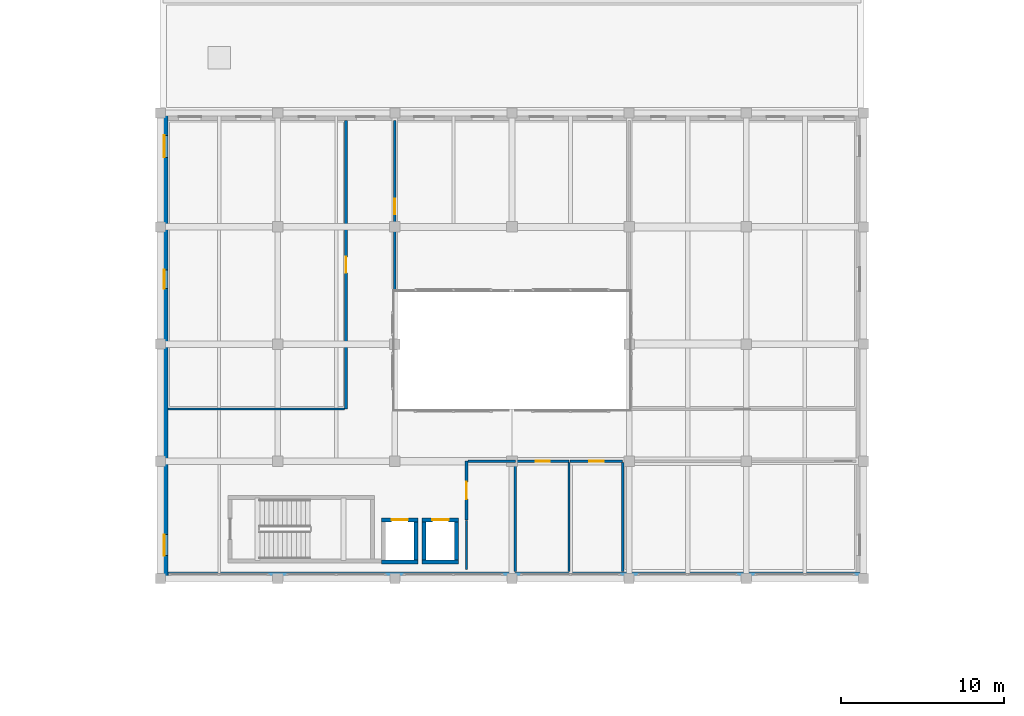
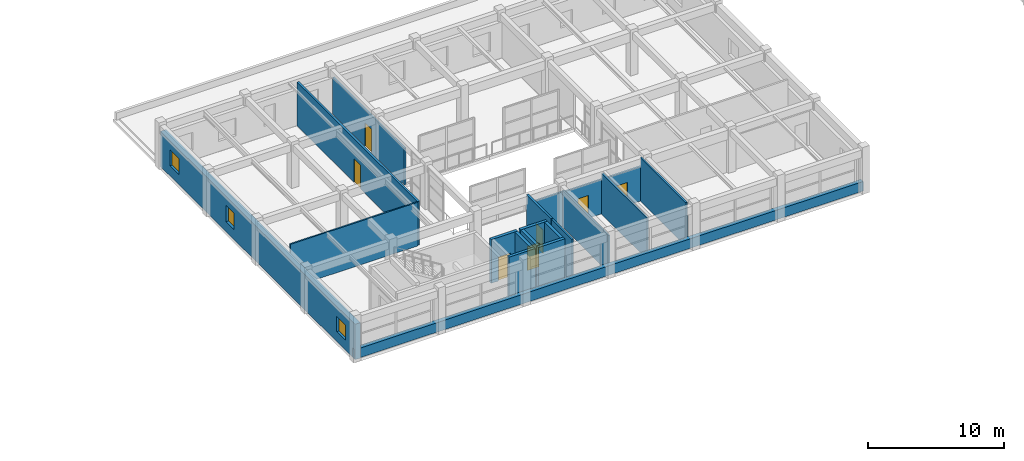
# One storey, part 50 of 67: 20 walls, 7 doors, 3 windows, 10 openings.
"""IFC4 building model written with IfcOpenShell, lengths in metres."""

from ifc_helpers import new_model, si_unit, direction, frame, frame_2d, origin, place, context, subcontext, project, spatial, rectangle, extrude, material, layer, layer_set, type_object, element, fill, save


model = new_model("IFC4")

# Units and contexts
model_context = context("Model", 3, precision=1e-05, world=origin(), true_north=direction((0.0, 1.0)))
body_context = subcontext(model_context, "Body", "Model", "MODEL_VIEW")
ifc_project = project(units=[si_unit("LENGTHUNIT", "METRE"), si_unit("AREAUNIT", "SQUARE_METRE"), si_unit("VOLUMEUNIT", "CUBIC_METRE"), si_unit("PLANEANGLEUNIT", "RADIAN"), si_unit("MASSUNIT", "GRAM", prefix="KILO")], contexts=[model_context])

# Site, building, storey
site_placement = place(None, origin())
site = spatial("IfcSite", under=ifc_project, at=site_placement, CompositionType="ELEMENT")
building_placement = place(site_placement, origin())
building = spatial("IfcBuilding", under=site, at=building_placement, Name="Bramveld Media Centre", CompositionType="ELEMENT")
storey_placement = place(building_placement, frame((0.0, 0.0, 5.39990234375)))
storey = spatial("IfcBuildingStorey", under=building, at=storey_placement, Name="L01", CompositionType="ELEMENT", Elevation=5.39990234375)

# Wall
ifc_material_1 = material(Name="Concrete C40/50 stair & lift core wall", Category="concrete")
ifc_layer_1 = layer(ifc_material_1, 0.25)
ifc_layer_set_1 = layer_set([ifc_layer_1], Name="Concrete C40/50 stair & lift core wall")
wall_type_1 = type_object("IfcWallType", Name="CWALL-SHEAR-250", PredefinedType="SHEAR", material=ifc_layer_set_1)
wall_1_placement = place(storey_placement, frame((79.175048828125, 91.39990234375, 0.0), z_axis=(0.0, 0.0, 1.0), x_axis=(1.0, 0.0, 0.0)))
element("IfcWall", 1, at=wall_1_placement, inside=storey, type_object=wall_type_1, Name="PL-04 L01 lift shaft wall S", PredefinedType="SHEAR", context=body_context, shape_type="SweptSolid", body=[
    extrude(rectangle(XDim=2.25, YDim=0.25, at=frame_2d((1.125, 0.0))), origin(), (0.0, 0.0, 1.0), 3.920166015625),
])

# Wall, opening, door
wall_2_placement = place(storey_placement, frame((81.425048828125, 94.0, 0.0), z_axis=(0.0, 0.0, 1.0), x_axis=(-1.0, 0.0, 0.0)))
wall_2 = element("IfcWall", 2, at=wall_2_placement, inside=storey, type_object=wall_type_1, Name="PL-04 L01 lift shaft wall N", PredefinedType="SHEAR", context=body_context, shape_type="SweptSolid", body=[
    extrude(rectangle(XDim=2.25, YDim=0.25, at=frame_2d((1.125, 0.0))), origin(), (0.0, 0.0, 1.0), 3.920166015625),
])
opening_1_placement = place(wall_2_placement, frame((0.625, 0.0, 0.0)))
opening_1 = element("IfcOpeningElement", 3, at=opening_1_placement, cuts=wall_2, Name="Opening LD-02-04-L01", PredefinedType="OPENING", context=body_context, shape_type="SweptSolid", body=[
    extrude(rectangle(XDim=1.0, YDim=2.14990234375, at=frame_2d((0.5, 1.074951171875))), frame((0.0, 0.136962890625, 0.0), z_axis=(0.0, -1.0, 0.0), x_axis=(1.0, 0.0, 0.0)), (0.0, 0.0, 1.0), 0.27392578125),
])
ifc_material_2 = material(Name="Brushed stainless steel automatic fire-rated sliding lift landing door", Category="steel")
door_type_1 = type_object("IfcDoorType", Name="LD-TYPE-02", OperationType="SLIDING_TO_LEFT", PredefinedType="DOOR", material=ifc_material_2)
door_1_placement = place(opening_1_placement, origin())
door_1 = element("IfcDoor", 4, at=door_1_placement, inside=storey, type_object=door_type_1, Name="PL-04 L01 sliding lift landing door", OperationType="SLIDING_TO_LEFT", OverallHeight=2.14990234375, OverallWidth=1.0, PredefinedType="DOOR", context=body_context, shape_type="SweptSolid", body=[
    extrude(rectangle(XDim=1.0, YDim=2.14990234375, at=frame_2d((0.5, 1.074951171875))), frame((0.0, 0.02490234375, 0.0), z_axis=(0.0, -1.0, 0.0), x_axis=(1.0, 0.0, 0.0)), (0.0, 0.0, 1.0), 0.050048828125),
])
fill(opening_1, door_1)

# Walls
wall_3_placement = place(storey_placement, frame((81.300048828125, 91.39990234375, 0.0), z_axis=(0.0, 0.0, 1.0), x_axis=(0.0, 1.0, 0.0)))
element("IfcWall", 5, at=wall_3_placement, inside=storey, type_object=wall_type_1, Name="PL-04 L01 lift shaft wall E", PredefinedType="SHEAR", context=body_context, shape_type="SweptSolid", body=[
    extrude(rectangle(XDim=2.60009765625, YDim=0.25, at=frame_2d((1.300048828125, 0.0))), origin(), (0.0, 0.0, 1.0), 3.920166015625),
])
wall_4_placement = place(storey_placement, frame((81.675048828125, 91.39990234375, 0.0), z_axis=(0.0, 0.0, 1.0), x_axis=(1.0, 0.0, 0.0)))
element("IfcWall", 6, at=wall_4_placement, inside=storey, type_object=wall_type_1, Name="PL-03 L01 lift shaft wall S", PredefinedType="SHEAR", context=body_context, shape_type="SweptSolid", body=[
    extrude(rectangle(XDim=2.25, YDim=0.25, at=frame_2d((1.125, 0.0))), origin(), (0.0, 0.0, 1.0), 3.920166015625),
])

# Wall, opening, door
wall_5_placement = place(storey_placement, frame((83.925048828125, 94.0, 0.0), z_axis=(0.0, 0.0, 1.0), x_axis=(-1.0, 0.0, 0.0)))
wall_5 = element("IfcWall", 7, at=wall_5_placement, inside=storey, type_object=wall_type_1, Name="PL-03 L01 lift shaft wall N", PredefinedType="SHEAR", context=body_context, shape_type="SweptSolid", body=[
    extrude(rectangle(XDim=2.25, YDim=0.25, at=frame_2d((1.125, 0.0))), origin(), (0.0, 0.0, 1.0), 3.920166015625),
])
opening_2_placement = place(wall_5_placement, frame((0.625, 0.0, 0.0)))
opening_2 = element("IfcOpeningElement", 8, at=opening_2_placement, cuts=wall_5, Name="Opening LD-02-03-L01", PredefinedType="OPENING", context=body_context, shape_type="SweptSolid", body=[
    extrude(rectangle(XDim=1.0, YDim=2.14990234375, at=frame_2d((0.5, 1.074951171875))), frame((0.0, 0.136962890625, 0.0), z_axis=(0.0, -1.0, 0.0), x_axis=(1.0, 0.0, 0.0)), (0.0, 0.0, 1.0), 0.27392578125),
])
door_2_placement = place(opening_2_placement, origin())
door_2 = element("IfcDoor", 9, at=door_2_placement, inside=storey, type_object=door_type_1, Name="PL-03 L01 sliding lift landing door", OperationType="SLIDING_TO_LEFT", OverallHeight=2.14990234375, OverallWidth=1.0, PredefinedType="DOOR", context=body_context, shape_type="SweptSolid", body=[
    extrude(rectangle(XDim=1.0, YDim=2.14990234375, at=frame_2d((0.5, 1.074951171875))), frame((0.0, 0.02490234375, 0.0), z_axis=(0.0, -1.0, 0.0), x_axis=(1.0, 0.0, 0.0)), (0.0, 0.0, 1.0), 0.050048828125),
])
fill(opening_2, door_2)

# Walls
for number, where, z_axis, x_axis, name in (
    (10, (81.800048828125, 94.0, 0.0), (0.0, 0.0, 1.0), (0.0, -1.0, 0.0), "PL-03 L01 lift shaft wall W"),
    (11, (83.800048828125, 91.39990234375, 0.0), (0.0, 0.0, 1.0), (0.0, 1.0, 0.0), "PL-03 L01 lift shaft wall E"),
):
    element("IfcWall", number, at=place(storey_placement, frame(where, z_axis=z_axis, x_axis=x_axis)), inside=storey, type_object=wall_type_1, Name=name, PredefinedType="SHEAR", context=body_context, shape_type="SweptSolid", body=[
        extrude(rectangle(XDim=2.60009765625, YDim=0.25, at=frame_2d((1.300048828125, 0.0))), origin(), (0.0, 0.0, 1.0), 3.920166015625),
    ])
ifc_material_3 = material(Name="Perforated acoustic brick-faced insulated spandrel wall", Category="masonry")
ifc_layer_2 = layer(ifc_material_3, 0.35009765625)
ifc_layer_set_2 = layer_set([ifc_layer_2], Name="Perforated acoustic brick-faced insulated spandrel wall")
wall_type_2 = type_object("IfcWallType", Name="EW-BRK-350", PredefinedType="SOLIDWALL", material=ifc_layer_set_2)
wall_6_placement = place(storey_placement, frame((108.800048828125, 90.6298828125, 0.0), z_axis=(0.0, 0.0, 1.0), x_axis=(-1.0, 0.0, 0.0)))
element("IfcWall", 12, at=wall_6_placement, inside=storey, type_object=wall_type_2, Name="V6 L01 S masonry spandrel sill wall", PredefinedType="SOLIDWALL", context=body_context, shape_type="SweptSolid", body=[
    extrude(rectangle(XDim=43.199951171875, YDim=0.35009765625, at=frame_2d((21.60009765625, 0.0))), origin(), (0.0, 0.0, 1.0), 0.85009765625),
])

# Wall, openings, windows
ifc_material_4 = material(Name="Flemish red-brown clay facing brick cavity wall with concrete C35/45 inner leaf", Category="masonry")
ifc_layer_3 = layer(ifc_material_4, 0.4599609375)
ifc_layer_set_3 = layer_set([ifc_layer_3], Name="Flemish red-brown clay facing brick cavity wall with concrete C35/45 inner leaf")
wall_type_3 = type_object("IfcWallType", Name="EW-BRK-460", PredefinedType="SOLIDWALL", material=ifc_layer_set_3)
wall_7_placement = place(storey_placement, frame((65.830078125, 90.39990234375, 0.0), z_axis=(0.0, 0.0, 1.0), x_axis=(0.0, 1.0, 0.0)))
wall_7 = element("IfcWall", 13, at=wall_7_placement, inside=storey, type_object=wall_type_3, Name="V6 L01 W facing brick exterior wall", PredefinedType="SOLIDWALL", context=body_context, shape_type="SweptSolid", body=[
    extrude(rectangle(XDim=28.60009765625, YDim=0.4599609375, at=frame_2d((14.300048828125, 0.0))), origin(), (0.0, 0.0, 1.0), 3.175048828125),
])
opening_3_placement = place(wall_7_placement, frame((1.392822265625, 0.0, 0.89990234375)))
opening_3 = element("IfcOpeningElement", 14, at=opening_3_placement, cuts=wall_7, Name="Opening W-05", PredefinedType="OPENING", context=body_context, shape_type="SweptSolid", body=[
    extrude(rectangle(XDim=1.300048828125, YDim=1.35009765625, at=frame_2d((0.64990234375, 0.675048828125))), frame((0.0, 0.241943359375, 0.0), z_axis=(0.0, -1.0, 0.0), x_axis=(1.0, 0.0, 0.0)), (0.0, 0.0, 1.0), 0.48388671875),
])
opening_4_placement = place(wall_7_placement, frame((17.810791015625, 0.0, 0.89990234375)))
opening_4 = element("IfcOpeningElement", 15, at=opening_4_placement, cuts=wall_7, Name="Opening W-09", PredefinedType="OPENING", context=body_context, shape_type="SweptSolid", body=[
    extrude(rectangle(XDim=1.14990234375, YDim=1.449951171875, at=frame_2d((0.574951171875, 0.72509765625))), frame((0.0, 0.241943359375, 0.0), z_axis=(0.0, -1.0, 0.0), x_axis=(1.0, 0.0, 0.0)), (0.0, 0.0, 1.0), 0.48388671875),
])
opening_5_placement = place(wall_7_placement, frame((25.882080078125, 0.0, 0.89990234375)))
opening_5 = element("IfcOpeningElement", 16, at=opening_5_placement, cuts=wall_7, Name="Opening W-11", PredefinedType="OPENING", context=body_context, shape_type="SweptSolid", body=[
    extrude(rectangle(XDim=1.35009765625, YDim=1.449951171875, at=frame_2d((0.675048828125, 0.72509765625))), frame((0.0, 0.241943359375, 0.0), z_axis=(0.0, -1.0, 0.0), x_axis=(1.0, 0.0, 0.0)), (0.0, 0.0, 1.0), 0.48388671875),
])
ifc_material_5 = material(Name="Thermally broken anodized bronze aluminium frame with triple acoustic glazing", Category="aluminium")
window_type_1 = type_object("IfcWindowType", Name="WIN-FAC-05", PartitioningType="SINGLE_PANEL", PredefinedType="WINDOW", material=ifc_material_5)
window_1_placement = place(opening_3_placement, origin())
window_1 = element("IfcWindow", 17, at=window_1_placement, inside=storey, type_object=window_type_1, Name="V6 L01 W acoustic facade window", OverallHeight=1.35009765625, OverallWidth=1.300048828125, PartitioningType="SINGLE_PANEL", PredefinedType="WINDOW", context=body_context, shape_type="SweptSolid", body=[
    extrude(rectangle(XDim=1.300048828125, YDim=1.35009765625, at=frame_2d((0.64990234375, 0.675048828125))), frame((0.0, 0.030029296875, 0.0), z_axis=(0.0, -1.0, 0.0), x_axis=(1.0, 0.0, 0.0)), (0.0, 0.0, 1.0), 0.06005859375),
])
fill(opening_3, window_1)
ifc_material_6 = material(Name="Thermally broken anodized bronze aluminium frame with triple acoustic glazing", Category="aluminium")
window_type_2 = type_object("IfcWindowType", Name="WIN-FAC-09", PartitioningType="SINGLE_PANEL", PredefinedType="WINDOW", material=ifc_material_6)
window_2_placement = place(opening_4_placement, origin())
window_2 = element("IfcWindow", 18, at=window_2_placement, inside=storey, type_object=window_type_2, Name="V6 L01 W acoustic facade window", OverallHeight=1.449951171875, OverallWidth=1.14990234375, PartitioningType="SINGLE_PANEL", PredefinedType="WINDOW", context=body_context, shape_type="SweptSolid", body=[
    extrude(rectangle(XDim=1.14990234375, YDim=1.449951171875, at=frame_2d((0.574951171875, 0.72509765625))), frame((0.0, 0.030029296875, 0.0), z_axis=(0.0, -1.0, 0.0), x_axis=(1.0, 0.0, 0.0)), (0.0, 0.0, 1.0), 0.06005859375),
])
fill(opening_4, window_2)
ifc_material_7 = material(Name="Thermally broken anodized bronze aluminium frame with triple acoustic glazing", Category="aluminium")
window_type_3 = type_object("IfcWindowType", Name="WIN-FAC-11", PartitioningType="SINGLE_PANEL", PredefinedType="WINDOW", material=ifc_material_7)
window_3_placement = place(opening_5_placement, origin())
window_3 = element("IfcWindow", 19, at=window_3_placement, inside=storey, type_object=window_type_3, Name="V6 L01 W acoustic facade window", OverallHeight=1.449951171875, OverallWidth=1.35009765625, PartitioningType="SINGLE_PANEL", PredefinedType="WINDOW", context=body_context, shape_type="SweptSolid", body=[
    extrude(rectangle(XDim=1.35009765625, YDim=1.449951171875, at=frame_2d((0.675048828125, 0.72509765625))), frame((0.0, 0.030029296875, 0.0), z_axis=(0.0, -1.0, 0.0), x_axis=(1.0, 0.0, 0.0)), (0.0, 0.0, 1.0), 0.06005859375),
])
fill(opening_5, window_3)

# Wall, opening, door
ifc_material_8 = material(Name="Fire-rated twin-frame gypsum corridor wall", Category="gypsum")
ifc_layer_4 = layer(ifc_material_8, 0.179931640625)
ifc_layer_set_4 = layer_set([ifc_layer_4], Name="Fire-rated twin-frame gypsum corridor wall")
wall_type_4 = type_object("IfcWallType", Name="IW-FIRE-180", PredefinedType="PARTITIONING", material=ifc_layer_set_4)
wall_8_placement = place(storey_placement, frame((84.39990234375, 94.0, 0.0), z_axis=(0.0, 0.0, 1.0), x_axis=(0.0, 1.0, 0.0)))
wall_8 = element("IfcWall", 20, at=wall_8_placement, inside=storey, type_object=wall_type_4, Name="Exhibition Lift Lobby L01 partition wall", PredefinedType="PARTITIONING", context=body_context, shape_type="SweptSolid", body=[
    extrude(rectangle(XDim=3.60009765625, YDim=0.179931640625, at=frame_2d((1.800048828125, 0.0))), origin(), (0.0, 0.0, 1.0), 3.920166015625),
])
opening_6_placement = place(wall_8_placement, frame((1.27001953125, 0.0, 0.0)))
opening_6 = element("IfcOpeningElement", 21, at=opening_6_placement, cuts=wall_8, Name="Opening D-01-081", PredefinedType="OPENING", context=body_context, shape_type="SweptSolid", body=[
    extrude(rectangle(XDim=1.06005859375, YDim=2.10009765625, at=frame_2d((0.530029296875, 1.050048828125))), frame((0.0, 0.10205078125, 0.0), z_axis=(0.0, -1.0, 0.0), x_axis=(1.0, 0.0, 0.0)), (0.0, 0.0, 1.0), 0.203857421875),
])
ifc_material_9 = material(Name="Solid-core European oak acoustic timber leaf in steel frame", Category="steel")
door_type_2 = type_object("IfcDoorType", Name="DR-WC-PMR-1060", OperationType="NOTDEFINED", PredefinedType="DOOR", material=ifc_material_9)
door_3_placement = place(opening_6_placement, origin())
door_3 = element("IfcDoor", 22, at=door_3_placement, inside=storey, type_object=door_type_2, Name="Accessible WC entrance door", OperationType="SINGLE_SWING_RIGHT", OverallHeight=2.10009765625, OverallWidth=1.06005859375, PredefinedType="DOOR", context=body_context, shape_type="SweptSolid", body=[
    extrude(rectangle(XDim=1.06005859375, YDim=2.10009765625, at=frame_2d((0.530029296875, 1.050048828125))), frame((0.0, 0.02490234375, 0.0), z_axis=(0.0, -1.0, 0.0), x_axis=(1.0, 0.0, 0.0)), (0.0, 0.0, 1.0), 0.050048828125),
])
fill(opening_6, door_3)

wall_9_placement = place(storey_placement, frame((77.0, 100.800048828125, 0.0), z_axis=(0.0, 0.0, 1.0), x_axis=(0.0, 1.0, 0.0)))
wall_9 = element("IfcWall", 23, at=wall_9_placement, inside=storey, type_object=wall_type_4, Name="West Atrium Gallery Corridor partition wall", PredefinedType="PARTITIONING", context=body_context, shape_type="SweptSolid", body=[
    extrude(rectangle(XDim=17.72998046875, YDim=0.179931640625, at=frame_2d((8.864990234375, 0.0))), origin(), (0.0, 0.0, 1.0), 3.920166015625),
])
opening_7_placement = place(wall_9_placement, frame((8.375, 0.0, 0.0)))
opening_7 = element("IfcOpeningElement", 24, at=opening_7_placement, cuts=wall_9, Name="Opening D-01-085", PredefinedType="OPENING", context=body_context, shape_type="SweptSolid", body=[
    extrude(rectangle(XDim=0.97998046875, YDim=2.1201171875, at=frame_2d((0.489990234375, 1.06005859375))), frame((0.0, 0.10205078125, 0.0), z_axis=(0.0, -1.0, 0.0), x_axis=(1.0, 0.0, 0.0)), (0.0, 0.0, 1.0), 0.203857421875),
])
ifc_material_10 = material(Name="Solid-core European oak acoustic timber leaf in steel frame", Category="steel")
door_type_3 = type_object("IfcDoorType", Name="DR-RM-0980", OperationType="NOTDEFINED", PredefinedType="DOOR", material=ifc_material_10)
door_4_placement = place(opening_7_placement, origin())
door_4 = element("IfcDoor", 25, at=door_4_placement, inside=storey, type_object=door_type_3, Name="Immersive Sound-Art Gallery entrance door", OperationType="SINGLE_SWING_RIGHT", OverallHeight=2.1201171875, OverallWidth=0.97998046875, PredefinedType="DOOR", context=body_context, shape_type="SweptSolid", body=[
    extrude(rectangle(XDim=0.97998046875, YDim=2.1201171875, at=frame_2d((0.489990234375, 1.06005859375))), frame((0.0, 0.02490234375, 0.0), z_axis=(0.0, -1.0, 0.0), x_axis=(1.0, 0.0, 0.0)), (0.0, 0.0, 1.0), 0.050048828125),
])
fill(opening_7, door_4)

# Wall
ifc_material_11 = material(Name="Lightweight acoustic stud partition", Category="gypsum")
ifc_layer_5 = layer(ifc_material_11, 0.125)
ifc_layer_set_5 = layer_set([ifc_layer_5], Name="Lightweight acoustic stud partition")
wall_type_5 = type_object("IfcWallType", Name="IW-PART-125", PredefinedType="PARTITIONING", material=ifc_layer_set_5)
wall_10_placement = place(storey_placement, frame((66.070068359375, 100.800048828125, 0.0), z_axis=(0.0, 0.0, 1.0), x_axis=(1.0, 0.0, 0.0)))
element("IfcWall", 26, at=wall_10_placement, inside=storey, type_object=wall_type_5, Name="Immersive Sound-Art Gallery partition wall", PredefinedType="PARTITIONING", context=body_context, shape_type="SweptSolid", body=[
    extrude(rectangle(XDim=10.829833984375, YDim=0.125, at=frame_2d((5.4150390625, 0.0))), origin(), (0.0, 0.0, 1.0), 3.920166015625),
])

# Wall, opening, door
ifc_material_12 = material(Name="Insulated metal-stud gypsum room partition", Category="gypsum")
ifc_layer_6 = layer(ifc_material_12, 0.14990234375)
ifc_layer_set_6 = layer_set([ifc_layer_6], Name="Insulated metal-stud gypsum room partition")
wall_type_6 = type_object("IfcWallType", Name="IW-PART-150", PredefinedType="PARTITIONING", material=ifc_layer_set_6)
wall_11_placement = place(storey_placement, frame((80.0, 108.0, 0.0), z_axis=(0.0, 0.0, 1.0), x_axis=(0.0, 1.0, 0.0)))
wall_11 = element("IfcWall", 27, at=wall_11_placement, inside=storey, type_object=wall_type_6, Name="North Canal Photography Gallery partition wall", PredefinedType="PARTITIONING", context=body_context, shape_type="SweptSolid", body=[
    extrude(rectangle(XDim=10.530029296875, YDim=0.14990234375, at=frame_2d((5.26513671875, 0.0))), origin(), (0.0, 0.0, 1.0), 3.295166015625),
])
opening_8_placement = place(wall_11_placement, frame((4.784912109375, 0.0, 0.0)))
opening_8 = element("IfcOpeningElement", 28, at=opening_8_placement, cuts=wall_11, Name="Opening D-01-086", PredefinedType="OPENING", context=body_context, shape_type="SweptSolid", body=[
    extrude(rectangle(XDim=0.9599609375, YDim=2.10009765625, at=frame_2d((0.47998046875, 1.050048828125))), frame((0.0, 0.0869140625, 0.0), z_axis=(0.0, -1.0, 0.0), x_axis=(1.0, 0.0, 0.0)), (0.0, 0.0, 1.0), 0.173828125),
])
ifc_material_13 = material(Name="Solid-core European oak acoustic timber leaf in steel frame", Category="steel")
door_type_4 = type_object("IfcDoorType", Name="DR-RM-0960", OperationType="NOTDEFINED", PredefinedType="DOOR", material=ifc_material_13)
door_5_placement = place(opening_8_placement, origin())
door_5 = element("IfcDoor", 29, at=door_5_placement, inside=storey, type_object=door_type_4, Name="North Canal Photography Gallery entrance door", OperationType="SINGLE_SWING_LEFT", OverallHeight=2.10009765625, OverallWidth=0.9599609375, PredefinedType="DOOR", context=body_context, shape_type="SweptSolid", body=[
    extrude(rectangle(XDim=0.9599609375, YDim=2.10009765625, at=frame_2d((0.47998046875, 1.050048828125))), frame((0.0, 0.02490234375, 0.0), z_axis=(0.0, -1.0, 0.0), x_axis=(1.0, 0.0, 0.0)), (0.0, 0.0, 1.0), 0.050048828125),
])
fill(opening_8, door_5)

# Walls
ifc_material_14 = material(Name="Moisture-resistant cement-board sanitary partition", Category="gypsum")
ifc_layer_7 = layer(ifc_material_14, 0.139892578125)
ifc_layer_set_7 = layer_set([ifc_layer_7], Name="Moisture-resistant cement-board sanitary partition")
wall_type_7 = type_object("IfcWallType", Name="IW-WET-140", PredefinedType="PARTITIONING", material=ifc_layer_set_7)
wall_12_placement = place(storey_placement, frame((84.5, 97.60009765625, 0.0), z_axis=(0.0, 0.0, 1.0), x_axis=(1.0, 0.0, 0.0)))
element("IfcWall", 30, at=wall_12_placement, inside=storey, type_object=wall_type_7, Name="Accessible WC partition wall", PredefinedType="PARTITIONING", context=body_context, shape_type="SweptSolid", body=[
    extrude(rectangle(XDim=2.89990234375, YDim=0.139892578125, at=frame_2d((1.449951171875, 0.0))), origin(), (0.0, 0.0, 1.0), 3.14501953125),
])
wall_13_placement = place(storey_placement, frame((87.39990234375, 90.81494140625, 0.0), z_axis=(0.0, 0.0, 1.0), x_axis=(0.0, 1.0, 0.0)))
element("IfcWall", 31, at=wall_13_placement, inside=storey, type_object=wall_type_7, Name="Accessible WC partition wall", PredefinedType="PARTITIONING", context=body_context, shape_type="SweptSolid", body=[
    extrude(rectangle(XDim=6.705078125, YDim=0.139892578125, at=frame_2d((3.3525390625, 0.0))), origin(), (0.0, 0.0, 1.0), 3.295166015625),
])

# Wall, opening, door
wall_14_placement = place(storey_placement, frame((87.47998046875, 97.60009765625, 0.0), z_axis=(0.0, 0.0, 1.0), x_axis=(1.0, 0.0, 0.0)))
wall_14 = element("IfcWall", 32, at=wall_14_placement, inside=storey, type_object=wall_type_7, Name="Male WC partition wall", PredefinedType="PARTITIONING", context=body_context, shape_type="SweptSolid", body=[
    extrude(rectangle(XDim=3.219970703125, YDim=0.139892578125, at=frame_2d((1.60986328125, 0.0))), origin(), (0.0, 0.0, 1.0), 3.09521484375),
])
opening_9_placement = place(wall_14_placement, frame((1.1650390625, 0.0, 0.0)))
opening_9 = element("IfcOpeningElement", 33, at=opening_9_placement, cuts=wall_14, Name="Opening D-01-082", PredefinedType="OPENING", context=body_context, shape_type="SweptSolid", body=[
    extrude(rectangle(XDim=0.889892578125, YDim=2.050048828125, at=frame_2d((0.44482421875, 1.02490234375))), frame((0.0, 0.08203125, 0.0), z_axis=(0.0, -1.0, 0.0), x_axis=(1.0, 0.0, 0.0)), (0.0, 0.0, 1.0), 0.163818359375),
])
ifc_material_15 = material(Name="Solid-core European oak acoustic timber leaf in steel frame", Category="steel")
door_type_5 = type_object("IfcDoorType", Name="DR-WC-0890", OperationType="NOTDEFINED", PredefinedType="DOOR", material=ifc_material_15)
door_6_placement = place(opening_9_placement, origin())
door_6 = element("IfcDoor", 34, at=door_6_placement, inside=storey, type_object=door_type_5, Name="Male WC entrance door", OperationType="SINGLE_SWING_LEFT", OverallHeight=2.050048828125, OverallWidth=0.889892578125, PredefinedType="DOOR", context=body_context, shape_type="SweptSolid", body=[
    extrude(rectangle(XDim=0.889892578125, YDim=2.050048828125, at=frame_2d((0.44482421875, 1.02490234375))), frame((0.0, 0.02490234375, 0.0), z_axis=(0.0, -1.0, 0.0), x_axis=(1.0, 0.0, 0.0)), (0.0, 0.0, 1.0), 0.050048828125),
])
fill(opening_9, door_6)

# Wall
wall_15_placement = place(storey_placement, frame((90.699951171875, 90.81494140625, 0.0), z_axis=(0.0, 0.0, 1.0), x_axis=(0.0, 1.0, 0.0)))
element("IfcWall", 35, at=wall_15_placement, inside=storey, type_object=wall_type_7, Name="Male WC partition wall", PredefinedType="PARTITIONING", context=body_context, shape_type="SweptSolid", body=[
    extrude(rectangle(XDim=6.705078125, YDim=0.139892578125, at=frame_2d((3.3525390625, 0.0))), origin(), (0.0, 0.0, 1.0), 3.68505859375),
])

# Wall, opening, door
wall_16_placement = place(storey_placement, frame((90.780029296875, 97.60009765625, 0.0), z_axis=(0.0, 0.0, 1.0), x_axis=(1.0, 0.0, 0.0)))
wall_16 = element("IfcWall", 36, at=wall_16_placement, inside=storey, type_object=wall_type_7, Name="Female WC partition wall", PredefinedType="PARTITIONING", context=body_context, shape_type="SweptSolid", body=[
    extrude(rectangle(XDim=3.219970703125, YDim=0.139892578125, at=frame_2d((1.60986328125, 0.0))), origin(), (0.0, 0.0, 1.0), 3.09521484375),
])
opening_10_placement = place(wall_16_placement, frame((1.155029296875, 0.0, 0.0)))
opening_10 = element("IfcOpeningElement", 37, at=opening_10_placement, cuts=wall_16, Name="Opening D-01-083", PredefinedType="OPENING", context=body_context, shape_type="SweptSolid", body=[
    extrude(rectangle(XDim=0.909912109375, YDim=2.06005859375, at=frame_2d((0.455078125, 1.030029296875))), frame((0.0, 0.08203125, 0.0), z_axis=(0.0, -1.0, 0.0), x_axis=(1.0, 0.0, 0.0)), (0.0, 0.0, 1.0), 0.163818359375),
])
ifc_material_16 = material(Name="Solid-core European oak acoustic timber leaf in steel frame", Category="steel")
door_type_6 = type_object("IfcDoorType", Name="DR-WC-0910", OperationType="NOTDEFINED", PredefinedType="DOOR", material=ifc_material_16)
door_7_placement = place(opening_10_placement, origin())
door_7 = element("IfcDoor", 38, at=door_7_placement, inside=storey, type_object=door_type_6, Name="Female WC entrance door", OperationType="SINGLE_SWING_RIGHT", OverallHeight=2.06005859375, OverallWidth=0.909912109375, PredefinedType="DOOR", context=body_context, shape_type="SweptSolid", body=[
    extrude(rectangle(XDim=0.909912109375, YDim=2.06005859375, at=frame_2d((0.455078125, 1.030029296875))), frame((0.0, 0.02490234375, 0.0), z_axis=(0.0, -1.0, 0.0), x_axis=(1.0, 0.0, 0.0)), (0.0, 0.0, 1.0), 0.050048828125),
])
fill(opening_10, door_7)

# Walls
wall_17_placement = place(storey_placement, frame((94.0, 90.81494140625, 0.0), z_axis=(0.0, 0.0, 1.0), x_axis=(0.0, 1.0, 0.0)))
element("IfcWall", 39, at=wall_17_placement, inside=storey, type_object=wall_type_7, Name="Female WC partition wall", PredefinedType="PARTITIONING", context=body_context, shape_type="SweptSolid", body=[
    extrude(rectangle(XDim=6.705078125, YDim=0.139892578125, at=frame_2d((3.3525390625, 0.0))), origin(), (0.0, 0.0, 1.0), 3.920166015625),
])
wall_18_placement = place(storey_placement, frame((84.39990234375, 90.949951171875, 0.0), z_axis=(0.0, 0.0, 1.0), x_axis=(0.0, 1.0, 0.0)))
element("IfcWall", 40, at=wall_18_placement, inside=storey, type_object=wall_type_7, Name="Accessible WC partition wall", PredefinedType="PARTITIONING", context=body_context, shape_type="SweptSolid", body=[
    extrude(rectangle(XDim=3.0, YDim=0.139892578125, at=frame_2d((1.5, 0.0))), origin(), (0.0, 0.0, 1.0), 3.920166015625),
])

save(model, "model.ifc")
